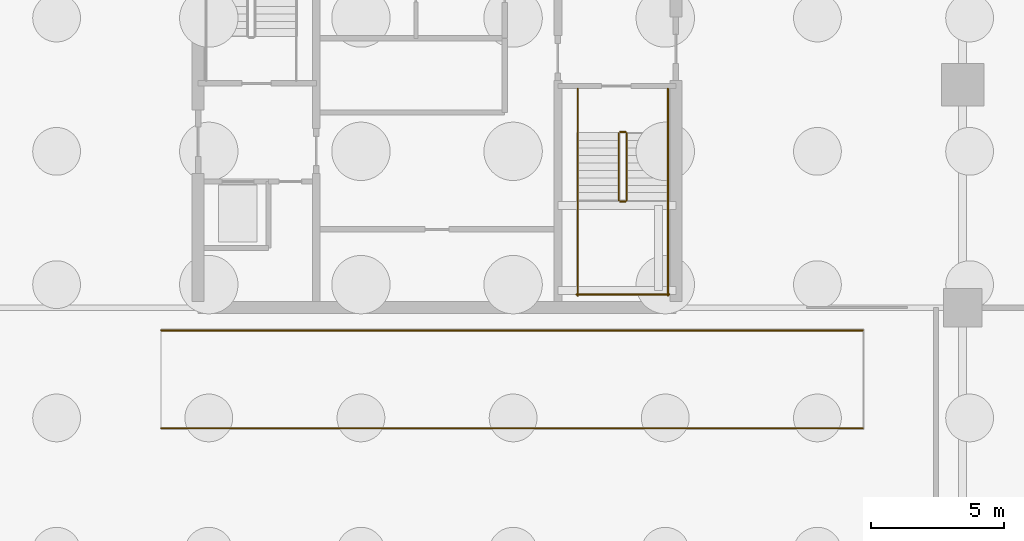
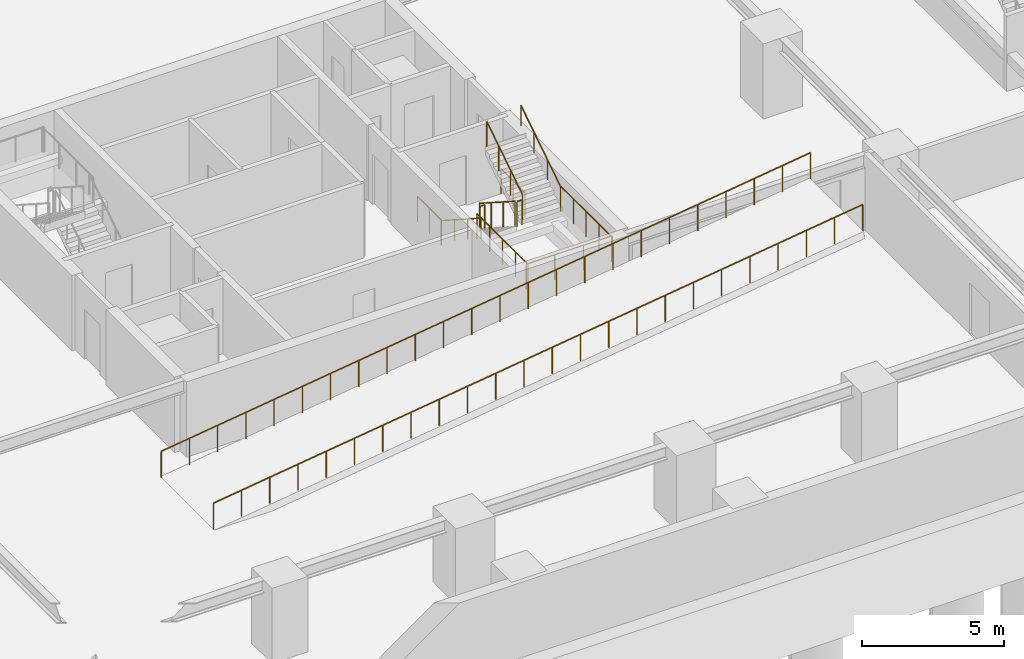
# One storey, part 9 of 12: 13 railings.
"""IFC4 building model written with IfcOpenShell, lengths in metres."""

from ifc_helpers import new_model, si_unit, direction, frame, origin, origin_2d, place, context, subcontext, project, spatial, circle, extrude, material, type_object, element, save


model = new_model("IFC4")

# Units and contexts
model_context = context("Model", 3, precision=1e-05, world=origin(), true_north=direction((0.0, 1.0)))
body_context = subcontext(model_context, "Body", "Model", "MODEL_VIEW")
ifc_project = project(units=[si_unit("LENGTHUNIT", "METRE"), si_unit("AREAUNIT", "SQUARE_METRE"), si_unit("VOLUMEUNIT", "CUBIC_METRE"), si_unit("PLANEANGLEUNIT", "RADIAN"), si_unit("MASSUNIT", "GRAM", prefix="KILO")], contexts=[model_context])

# Site, building, storey
site_placement = place(None, origin())
site = spatial("IfcSite", under=ifc_project, at=site_placement, CompositionType="ELEMENT")
building_placement = place(site_placement, origin())
building = spatial("IfcBuilding", under=site, at=building_placement, Name="Serunith Strait Residences", CompositionType="ELEMENT")
storey_placement = place(building_placement, frame((0.0, 0.0, -10.800048828125)))
storey = spatial("IfcBuildingStorey", under=building, at=storey_placement, Name="B03", CompositionType="ELEMENT", Elevation=-10.800048828125)

# Railings
ifc_material = material(Name="Brushed stainless steel 316L", Category="steel")
railing_type_1 = type_object("IfcRailingType", Name="RLG-STAIR-GUARD", PredefinedType="BALUSTRADE", material=ifc_material)
railing_1_placement = place(storey_placement, frame((39.25, 23.3701171875, 0.179931640625)))
element("IfcRailing", 1, at=railing_1_placement, inside=storey, type_object=railing_type_1, Name="B03 ST-2 stair guard 1", PredefinedType="BALUSTRADE", context=body_context, shape_type="SweptSolid", body=[
    extrude(circle(Radius=0.02392578125, at=origin_2d()), frame((0.0, -0.001708984375, 1.0771484375), z_axis=(0.0, -0.841162588446, 0.540782303519), x_axis=(1.0, 0.0, 0.0)), (0.0, 0.0, 1.0), 2.991943359375),
    extrude(circle(Radius=0.02099609375, at=origin_2d()), origin(), (0.0, 0.0, 1.0), 1.050048828125),
    extrude(circle(Radius=0.02099609375, at=origin_2d()), frame((0.0, -0.840087890625, 0.5400390625)), (0.0, 0.0, 1.0), 1.050048828125),
    extrude(circle(Radius=0.02099609375, at=origin_2d()), frame((0.0, -1.679931640625, 1.080078125)), (0.0, 0.0, 1.0), 1.050048828125),
    extrude(circle(Radius=0.02099609375, at=origin_2d()), frame((0.0, -2.52001953125, 1.6201171875)), (0.0, 0.0, 1.0), 1.050048828125),
])
railing_2_placement = place(storey_placement, frame((39.300048828125, 20.800048828125, 1.800048828125)))
element("IfcRailing", 2, at=railing_2_placement, inside=storey, type_object=railing_type_1, Name="B03 ST-2 stair guard 2", PredefinedType="BALUSTRADE", context=body_context, shape_type="SweptSolid", body=[
    extrude(circle(Radius=0.02392578125, at=origin_2d()), frame((0.001953125, 0.0, 1.076171875), z_axis=(1.0, 0.0, 0.0), x_axis=(0.0, 1.0, 0.0)), (0.0, 0.0, 1.0), 0.196044921875),
    extrude(circle(Radius=0.02099609375, at=origin_2d()), origin(), (0.0, 0.0, 1.0), 1.050048828125),
    extrude(circle(Radius=0.02099609375, at=origin_2d()), frame((0.199951171875, 0.0, 0.0)), (0.0, 0.0, 1.0), 1.050048828125),
])
for number, where, name in (
    (3, (37.699951171875, 20.85009765625, 1.800048828125), "B03 ST-2 stair guard 3"),
    (4, (41.10009765625, 20.85009765625, 1.800048828125), "B03 ST-2 stair guard 4"),
):
    element("IfcRailing", number, at=place(storey_placement, frame(where)), inside=storey, type_object=railing_type_1, Name=name, PredefinedType="BALUSTRADE", context=body_context, shape_type="SweptSolid", body=[
        extrude(circle(Radius=0.02392578125, at=origin_2d()), frame((0.0, -0.001953125, 1.076171875), z_axis=(0.0, -1.0, 0.0), x_axis=(1.0, 0.0, 0.0)), (0.0, 0.0, 1.0), 3.59619140625),
        extrude(circle(Radius=0.02099609375, at=origin_2d()), origin(), (0.0, 0.0, 1.0), 1.050048828125),
        extrude(circle(Radius=0.02099609375, at=origin_2d()), frame((0.0, -0.89990234375, 0.0)), (0.0, 0.0, 1.0), 1.050048828125),
        extrude(circle(Radius=0.02099609375, at=origin_2d()), frame((0.0, -1.800048828125, 0.0)), (0.0, 0.0, 1.0), 1.050048828125),
        extrude(circle(Radius=0.02099609375, at=origin_2d()), frame((0.0, -2.7001953125, 0.0)), (0.0, 0.0, 1.0), 1.050048828125),
        extrude(circle(Radius=0.02099609375, at=origin_2d()), frame((0.0, -3.60009765625, 0.0)), (0.0, 0.0, 1.0), 1.050048828125),
    ])
railing_3_placement = place(storey_placement, frame((37.64990234375, 17.300048828125, 1.800048828125)))
element("IfcRailing", 5, at=railing_3_placement, inside=storey, type_object=railing_type_1, Name="B03 ST-2 stair guard 5", PredefinedType="BALUSTRADE", context=body_context, shape_type="SweptSolid", body=[
    extrude(circle(Radius=0.02392578125, at=origin_2d()), frame((0.001953125, 0.0, 1.076171875), z_axis=(1.0, 0.0, 0.0), x_axis=(0.0, 1.0, 0.0)), (0.0, 0.0, 1.0), 3.49609375),
    extrude(circle(Radius=0.02099609375, at=origin_2d()), origin(), (0.0, 0.0, 1.0), 1.050048828125),
    extrude(circle(Radius=0.02099609375, at=origin_2d()), frame((1.166748046875, 0.0, 0.0)), (0.0, 0.0, 1.0), 1.050048828125),
    extrude(circle(Radius=0.02099609375, at=origin_2d()), frame((2.333251953125, 0.0, 0.0)), (0.0, 0.0, 1.0), 1.050048828125),
    extrude(circle(Radius=0.02099609375, at=origin_2d()), frame((3.5, 0.0, 0.0)), (0.0, 0.0, 1.0), 1.050048828125),
])
railing_4_placement = place(storey_placement, frame((39.550048828125, 20.85009765625, 1.97998046875)))
element("IfcRailing", 6, at=railing_4_placement, inside=storey, type_object=railing_type_1, Name="B03 ST-2 stair guard 6", PredefinedType="BALUSTRADE", context=body_context, shape_type="SweptSolid", body=[
    extrude(circle(Radius=0.02392578125, at=origin_2d()), frame((0.0, 0.001708984375, 1.0771484375), z_axis=(0.0, 0.841162588446, 0.540782303519), x_axis=(-1.0, 0.0, 0.0)), (0.0, 0.0, 1.0), 2.991943359375),
    extrude(circle(Radius=0.02099609375, at=origin_2d()), origin(), (0.0, 0.0, 1.0), 1.050048828125),
    extrude(circle(Radius=0.02099609375, at=origin_2d()), frame((0.0, 0.840087890625, 0.5400390625)), (0.0, 0.0, 1.0), 1.050048828125),
    extrude(circle(Radius=0.02099609375, at=origin_2d()), frame((0.0, 1.679931640625, 1.080078125)), (0.0, 0.0, 1.0), 1.050048828125),
    extrude(circle(Radius=0.02099609375, at=origin_2d()), frame((0.0, 2.52001953125, 1.6201171875)), (0.0, 0.0, 1.0), 1.050048828125),
])
railing_5_placement = place(storey_placement, frame((39.300048828125, 23.419921875, 0.0)))
element("IfcRailing", 7, at=railing_5_placement, inside=storey, type_object=railing_type_1, Name="B03 ST-2 stair guard 7", PredefinedType="BALUSTRADE", context=body_context, shape_type="SweptSolid", body=[
    extrude(circle(Radius=0.02392578125, at=origin_2d()), frame((0.001953125, 0.0, 1.076171875), z_axis=(1.0, 0.0, 0.0), x_axis=(0.0, 1.0, 0.0)), (0.0, 0.0, 1.0), 0.196044921875),
    extrude(circle(Radius=0.02099609375, at=origin_2d()), origin(), (0.0, 0.0, 1.0), 1.050048828125),
    extrude(circle(Radius=0.02099609375, at=origin_2d()), frame((0.199951171875, 0.0, 0.0)), (0.0, 0.0, 1.0), 1.050048828125),
])
for number, where, name in (
    (8, (37.699951171875, 25.050048828125, 0.0), "B03 ST-2 stair guard 8"),
    (9, (41.10009765625, 25.050048828125, 0.0), "B03 ST-2 stair guard 9"),
):
    element("IfcRailing", number, at=place(storey_placement, frame(where)), inside=storey, type_object=railing_type_1, Name=name, PredefinedType="BALUSTRADE", context=body_context, shape_type="SweptSolid", body=[
        extrude(circle(Radius=0.02392578125, at=origin_2d()), frame((0.0, -0.001953125, 1.076171875), z_axis=(0.0, -1.0, 0.0), x_axis=(1.0, 0.0, 0.0)), (0.0, 0.0, 1.0), 1.676025390625),
        extrude(circle(Radius=0.02099609375, at=origin_2d()), origin(), (0.0, 0.0, 1.0), 1.050048828125),
        extrude(circle(Radius=0.02099609375, at=origin_2d()), frame((0.0, -0.83984375, 0.0)), (0.0, 0.0, 1.0), 1.050048828125),
        extrude(circle(Radius=0.02099609375, at=origin_2d()), frame((0.0, -1.679931640625, 0.0)), (0.0, 0.0, 1.0), 1.050048828125),
    ])
railing_6_placement = place(storey_placement, frame((22.0048828125, 12.260009765625, 0.0)))
element("IfcRailing", 10, at=railing_6_placement, inside=storey, type_object=railing_type_1, Name="B03 Vehicle Ramp VR-B03-B02 S Safety Balustrade", PredefinedType="BALUSTRADE", context=body_context, shape_type="SweptSolid", body=[
    extrude(circle(Radius=0.02392578125, at=origin_2d()), frame((0.001953125, 0.0, 1.126220703125), z_axis=(0.990857150677, 0.0, 0.134915184294), x_axis=(0.0, 1.0, 0.0)), (0.0, 0.0, 1.0), 26.68017578125),
    extrude(circle(Radius=0.02099609375, at=origin_2d()), origin(), (0.0, 0.0, 1.0), 1.099853515625),
    extrude(circle(Radius=0.02099609375, at=origin_2d()), frame((1.149658203125, 0.0, 0.156494140625)), (0.0, 0.0, 1.0), 1.099853515625),
    extrude(circle(Radius=0.02099609375, at=origin_2d()), frame((2.299072265625, 0.0, 0.31298828125)), (0.0, 0.0, 1.0), 1.099853515625),
    extrude(circle(Radius=0.02099609375, at=origin_2d()), frame((3.44873046875, 0.0, 0.469482421875)), (0.0, 0.0, 1.0), 1.099853515625),
    extrude(circle(Radius=0.02099609375, at=origin_2d()), frame((4.598388671875, 0.0, 0.626220703125)), (0.0, 0.0, 1.0), 1.099853515625),
    extrude(circle(Radius=0.02099609375, at=origin_2d()), frame((5.747802734375, 0.0, 0.78271484375)), (0.0, 0.0, 1.0), 1.099853515625),
    extrude(circle(Radius=0.02099609375, at=origin_2d()), frame((6.8974609375, 0.0, 0.939208984375)), (0.0, 0.0, 1.0), 1.099853515625),
    extrude(circle(Radius=0.02099609375, at=origin_2d()), frame((8.047119140625, 0.0, 1.095703125)), (0.0, 0.0, 1.0), 1.099853515625),
    extrude(circle(Radius=0.02099609375, at=origin_2d()), frame((9.196533203125, 0.0, 1.252197265625)), (0.0, 0.0, 1.0), 1.099853515625),
    extrude(circle(Radius=0.02099609375, at=origin_2d()), frame((10.34619140625, 0.0, 1.40869140625)), (0.0, 0.0, 1.0), 1.099853515625),
    extrude(circle(Radius=0.02099609375, at=origin_2d()), frame((11.495849609375, 0.0, 1.565185546875)), (0.0, 0.0, 1.0), 1.099853515625),
    extrude(circle(Radius=0.02099609375, at=origin_2d()), frame((12.645263671875, 0.0, 1.7216796875)), (0.0, 0.0, 1.0), 1.099853515625),
    extrude(circle(Radius=0.02099609375, at=origin_2d()), frame((13.794921875, 0.0, 1.87841796875)), (0.0, 0.0, 1.0), 1.099853515625),
    extrude(circle(Radius=0.02099609375, at=origin_2d()), frame((14.9443359375, 0.0, 2.034912109375)), (0.0, 0.0, 1.0), 1.099853515625),
    extrude(circle(Radius=0.02099609375, at=origin_2d()), frame((16.093994140625, 0.0, 2.19140625)), (0.0, 0.0, 1.0), 1.099853515625),
    extrude(circle(Radius=0.02099609375, at=origin_2d()), frame((17.24365234375, 0.0, 2.347900390625)), (0.0, 0.0, 1.0), 1.099853515625),
    extrude(circle(Radius=0.02099609375, at=origin_2d()), frame((18.39306640625, 0.0, 2.50439453125)), (0.0, 0.0, 1.0), 1.099853515625),
    extrude(circle(Radius=0.02099609375, at=origin_2d()), frame((19.542724609375, 0.0, 2.660888671875)), (0.0, 0.0, 1.0), 1.099853515625),
    extrude(circle(Radius=0.02099609375, at=origin_2d()), frame((20.6923828125, 0.0, 2.8173828125)), (0.0, 0.0, 1.0), 1.099853515625),
    extrude(circle(Radius=0.02099609375, at=origin_2d()), frame((21.841796875, 0.0, 2.973876953125)), (0.0, 0.0, 1.0), 1.099853515625),
    extrude(circle(Radius=0.02099609375, at=origin_2d()), frame((22.991455078125, 0.0, 3.130615234375)), (0.0, 0.0, 1.0), 1.099853515625),
    extrude(circle(Radius=0.02099609375, at=origin_2d()), frame((24.14111328125, 0.0, 3.287109375)), (0.0, 0.0, 1.0), 1.099853515625),
    extrude(circle(Radius=0.02099609375, at=origin_2d()), frame((25.29052734375, 0.0, 3.443603515625)), (0.0, 0.0, 1.0), 1.099853515625),
    extrude(circle(Radius=0.02099609375, at=origin_2d()), frame((26.440185546875, 0.0, 3.60009765625)), (0.0, 0.0, 1.0), 1.099853515625),
])
railing_7_placement = place(storey_placement, frame((22.0048828125, 15.93994140625, 0.0)))
element("IfcRailing", 11, at=railing_7_placement, inside=storey, type_object=railing_type_1, Name="B03 Vehicle Ramp VR-B03-B02 N Safety Balustrade", PredefinedType="BALUSTRADE", context=body_context, shape_type="SweptSolid", body=[
    extrude(circle(Radius=0.02392578125, at=origin_2d()), frame((0.001953125, 0.0, 1.126220703125), z_axis=(0.990857150677, 0.0, 0.134915184294), x_axis=(0.0, 1.0, 0.0)), (0.0, 0.0, 1.0), 26.68017578125),
    extrude(circle(Radius=0.02099609375, at=origin_2d()), origin(), (0.0, 0.0, 1.0), 1.099853515625),
    extrude(circle(Radius=0.02099609375, at=origin_2d()), frame((1.149658203125, 0.0, 0.156494140625)), (0.0, 0.0, 1.0), 1.099853515625),
    extrude(circle(Radius=0.02099609375, at=origin_2d()), frame((2.299072265625, 0.0, 0.31298828125)), (0.0, 0.0, 1.0), 1.099853515625),
    extrude(circle(Radius=0.02099609375, at=origin_2d()), frame((3.44873046875, 0.0, 0.469482421875)), (0.0, 0.0, 1.0), 1.099853515625),
    extrude(circle(Radius=0.02099609375, at=origin_2d()), frame((4.598388671875, 0.0, 0.626220703125)), (0.0, 0.0, 1.0), 1.099853515625),
    extrude(circle(Radius=0.02099609375, at=origin_2d()), frame((5.747802734375, 0.0, 0.78271484375)), (0.0, 0.0, 1.0), 1.099853515625),
    extrude(circle(Radius=0.02099609375, at=origin_2d()), frame((6.8974609375, 0.0, 0.939208984375)), (0.0, 0.0, 1.0), 1.099853515625),
    extrude(circle(Radius=0.02099609375, at=origin_2d()), frame((8.047119140625, 0.0, 1.095703125)), (0.0, 0.0, 1.0), 1.099853515625),
    extrude(circle(Radius=0.02099609375, at=origin_2d()), frame((9.196533203125, 0.0, 1.252197265625)), (0.0, 0.0, 1.0), 1.099853515625),
    extrude(circle(Radius=0.02099609375, at=origin_2d()), frame((10.34619140625, 0.0, 1.40869140625)), (0.0, 0.0, 1.0), 1.099853515625),
    extrude(circle(Radius=0.02099609375, at=origin_2d()), frame((11.495849609375, 0.0, 1.565185546875)), (0.0, 0.0, 1.0), 1.099853515625),
    extrude(circle(Radius=0.02099609375, at=origin_2d()), frame((12.645263671875, 0.0, 1.7216796875)), (0.0, 0.0, 1.0), 1.099853515625),
    extrude(circle(Radius=0.02099609375, at=origin_2d()), frame((13.794921875, 0.0, 1.87841796875)), (0.0, 0.0, 1.0), 1.099853515625),
    extrude(circle(Radius=0.02099609375, at=origin_2d()), frame((14.9443359375, 0.0, 2.034912109375)), (0.0, 0.0, 1.0), 1.099853515625),
    extrude(circle(Radius=0.02099609375, at=origin_2d()), frame((16.093994140625, 0.0, 2.19140625)), (0.0, 0.0, 1.0), 1.099853515625),
    extrude(circle(Radius=0.02099609375, at=origin_2d()), frame((17.24365234375, 0.0, 2.347900390625)), (0.0, 0.0, 1.0), 1.099853515625),
    extrude(circle(Radius=0.02099609375, at=origin_2d()), frame((18.39306640625, 0.0, 2.50439453125)), (0.0, 0.0, 1.0), 1.099853515625),
    extrude(circle(Radius=0.02099609375, at=origin_2d()), frame((19.542724609375, 0.0, 2.660888671875)), (0.0, 0.0, 1.0), 1.099853515625),
    extrude(circle(Radius=0.02099609375, at=origin_2d()), frame((20.6923828125, 0.0, 2.8173828125)), (0.0, 0.0, 1.0), 1.099853515625),
    extrude(circle(Radius=0.02099609375, at=origin_2d()), frame((21.841796875, 0.0, 2.973876953125)), (0.0, 0.0, 1.0), 1.099853515625),
    extrude(circle(Radius=0.02099609375, at=origin_2d()), frame((22.991455078125, 0.0, 3.130615234375)), (0.0, 0.0, 1.0), 1.099853515625),
    extrude(circle(Radius=0.02099609375, at=origin_2d()), frame((24.14111328125, 0.0, 3.287109375)), (0.0, 0.0, 1.0), 1.099853515625),
    extrude(circle(Radius=0.02099609375, at=origin_2d()), frame((25.29052734375, 0.0, 3.443603515625)), (0.0, 0.0, 1.0), 1.099853515625),
    extrude(circle(Radius=0.02099609375, at=origin_2d()), frame((26.440185546875, 0.0, 3.60009765625)), (0.0, 0.0, 1.0), 1.099853515625),
])
railing_type_2 = type_object("IfcRailingType", Name="RLG-STAIR-HR", PredefinedType="HANDRAIL", material=ifc_material)
railing_8_placement = place(storey_placement, frame((37.699951171875, 23.3701171875, 0.179931640625)))
element("IfcRailing", 12, at=railing_8_placement, inside=storey, type_object=railing_type_2, Name="B03 ST-2 stair handrail 1", PredefinedType="HANDRAIL", context=body_context, shape_type="SweptSolid", body=[
    extrude(circle(Radius=0.02392578125, at=origin_2d()), frame((0.0, -0.001708984375, 0.876953125), z_axis=(0.0, -0.840475366265, 0.541849756576), x_axis=(1.0, 0.0, 0.0)), (0.0, 0.0, 1.0), 3.327392578125),
    extrude(circle(Radius=0.02099609375, at=origin_2d()), origin(), (0.0, 0.0, 1.0), 0.849853515625),
    extrude(circle(Radius=0.02099609375, at=origin_2d()), frame((0.0, -0.933349609375, 0.601806640625)), (0.0, 0.0, 1.0), 0.849853515625),
    extrude(circle(Radius=0.02099609375, at=origin_2d()), frame((0.0, -1.86669921875, 1.203369140625)), (0.0, 0.0, 1.0), 0.849853515625),
    extrude(circle(Radius=0.02099609375, at=origin_2d()), frame((0.0, -2.800048828125, 1.80517578125)), (0.0, 0.0, 1.0), 0.849853515625),
])
railing_9_placement = place(storey_placement, frame((41.10009765625, 20.85009765625, 1.97998046875)))
element("IfcRailing", 13, at=railing_9_placement, inside=storey, type_object=railing_type_2, Name="B03 ST-2 stair handrail 2", PredefinedType="HANDRAIL", context=body_context, shape_type="SweptSolid", body=[
    extrude(circle(Radius=0.02392578125, at=origin_2d()), frame((0.0, 0.001708984375, 0.876953125), z_axis=(0.0, 0.840453848492, 0.541883131823), x_axis=(-1.0, 0.0, 0.0)), (0.0, 0.0, 1.0), 3.327392578125),
    extrude(circle(Radius=0.02099609375, at=origin_2d()), origin(), (0.0, 0.0, 1.0), 0.849853515625),
    extrude(circle(Radius=0.02099609375, at=origin_2d()), frame((0.0, 0.933349609375, 0.601806640625)), (0.0, 0.0, 1.0), 0.849853515625),
    extrude(circle(Radius=0.02099609375, at=origin_2d()), frame((0.0, 1.866455078125, 1.203369140625)), (0.0, 0.0, 1.0), 0.849853515625),
    extrude(circle(Radius=0.02099609375, at=origin_2d()), frame((0.0, 2.7998046875, 1.80517578125)), (0.0, 0.0, 1.0), 0.849853515625),
])

save(model, "model.ifc")
